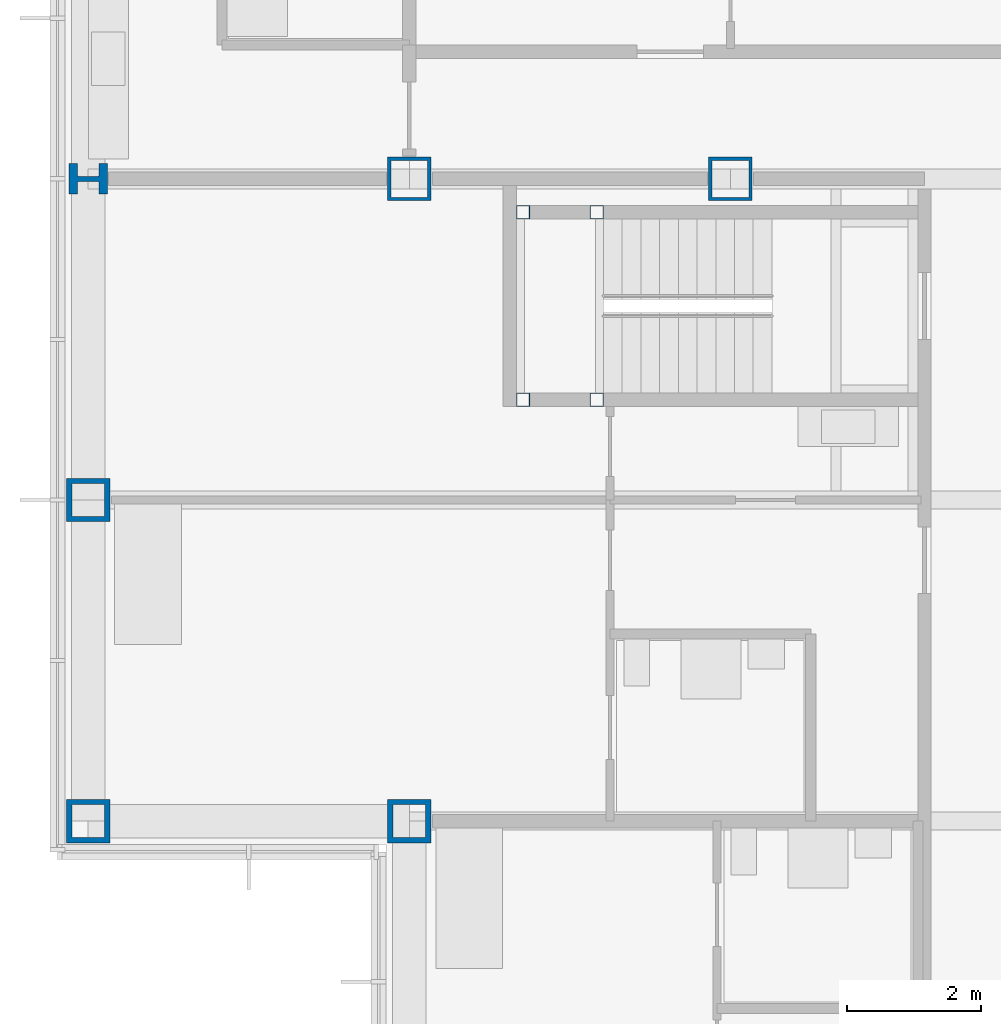
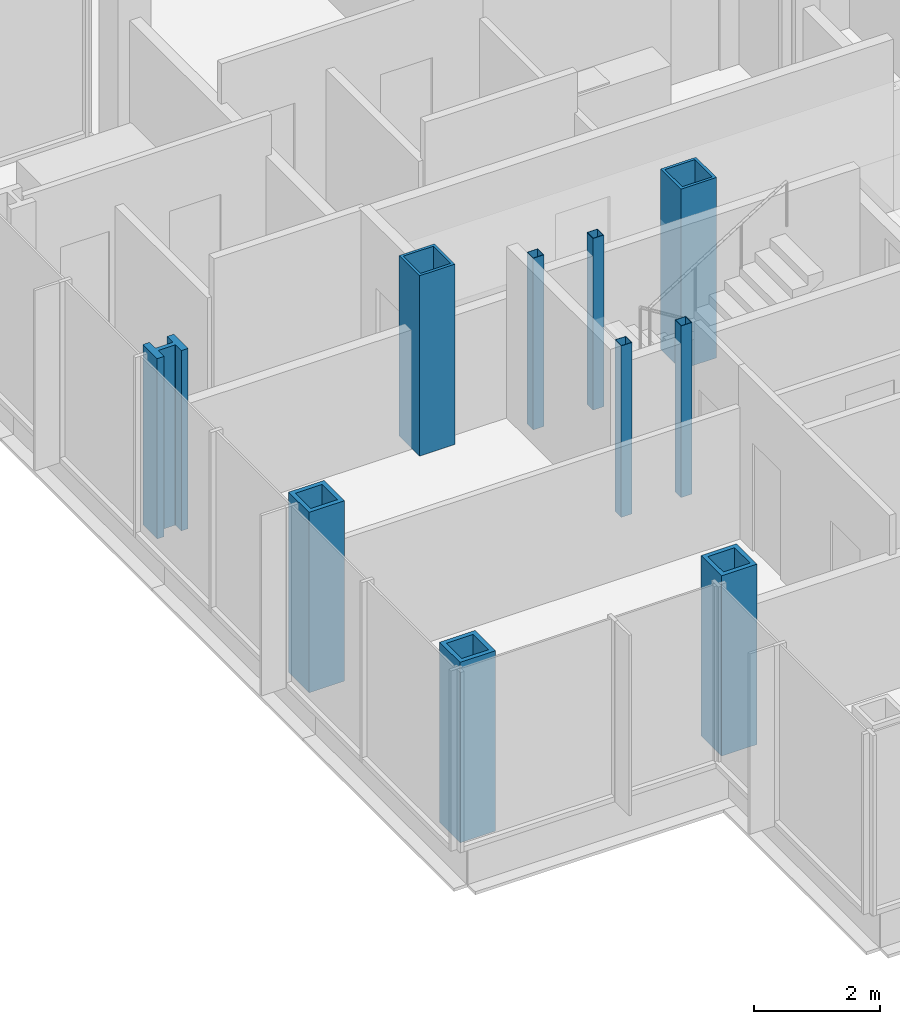
# One storey, part 3 of 19: 10 columns.
"""IFC4 building model written with IfcOpenShell, lengths in metres."""

from ifc_helpers import new_model, si_unit, direction, frame, origin, origin_2d, place, context, subcontext, project, spatial, hollow_rectangle, i_section, extrude, material, material_profile, profile_set, type_object, element, save


model = new_model("IFC4")

# Units and contexts
model_context = context("Model", 3, precision=1e-05, world=origin(), true_north=direction((0.0, 1.0)))
body_context = subcontext(model_context, "Body", "Model", "MODEL_VIEW")
ifc_project = project(units=[si_unit("LENGTHUNIT", "METRE"), si_unit("AREAUNIT", "SQUARE_METRE"), si_unit("VOLUMEUNIT", "CUBIC_METRE"), si_unit("PLANEANGLEUNIT", "RADIAN"), si_unit("MASSUNIT", "GRAM", prefix="KILO")], contexts=[model_context])

# Site, building, storey
site_placement = place(None, origin())
site = spatial("IfcSite", under=ifc_project, at=site_placement, CompositionType="ELEMENT")
building_placement = place(site_placement, origin())
building = spatial("IfcBuilding", under=site, at=building_placement, Name="Kvirike Care Tower", CompositionType="ELEMENT")
storey_placement = place(building_placement, frame((0.0, 0.0, 98.0)))
storey = spatial("IfcBuildingStorey", under=building, at=storey_placement, Name="L26", CompositionType="ELEMENT", Elevation=98.0)

# Columns
ifc_material_1 = material(Name="Steel S460", Category="steel")
ifc_material_profile_1 = material_profile(ifc_material_1, hollow_rectangle(XDim=0.64990234375, YDim=0.64990234375, WallThickness=0.050048828125, at=origin_2d()), Name="BX 650x650x50")
ifc_profile_set_1 = profile_set([ifc_material_profile_1], Name="Steel S460")
column_type_1 = type_object("IfcColumnType", Name="COLUMN BX 650x650x50", PredefinedType="COLUMN", material=ifc_profile_set_1)
for number, where, z_axis, x_axis, name in (
    (1, (4.800048828125, 43.199951171875, 0.0), (0.0, 0.0, 1.0), (0.0, 1.0, 0.0), "Column K4 L26"),
    (2, (9.60009765625, 43.199951171875, 0.0), (0.0, 0.0, 1.0), (0.0, 1.0, 0.0), "Column K5 L26"),
):
    element("IfcColumn", number, at=place(storey_placement, frame(where, z_axis=z_axis, x_axis=x_axis)), inside=storey, type_object=column_type_1, Name=name, PredefinedType="COLUMN", context=body_context, shape_type="SweptSolid", body=[
        extrude(hollow_rectangle(XDim=0.64990234375, YDim=0.64990234375, WallThickness=0.050048828125, at=origin_2d()), origin(), (0.0, 0.0, 1.0), 3.5),
    ])
ifc_material_2 = material(Name="Steel S460", Category="steel")
ifc_material_profile_2 = material_profile(ifc_material_2, hollow_rectangle(XDim=0.64990234375, YDim=0.64990234375, WallThickness=0.080078125, at=origin_2d()), Name="BX 650x650x80")
ifc_profile_set_2 = profile_set([ifc_material_profile_2], Name="Steel S460")
column_type_2 = type_object("IfcColumnType", Name="COLUMN BX 650x650x80", PredefinedType="COLUMN", material=ifc_profile_set_2)
for number, where, z_axis, x_axis, name in (
    (3, (0.0, 33.60009765625, 0.0), (0.0, 0.0, 1.0), (0.0, 1.0, 0.0), "Column H3 L26"),
    (4, (0.0, 38.39990234375, 0.0), (0.0, 0.0, 1.0), (1.0, 0.0, 0.0), "Column J3 L26"),
    (5, (4.800048828125, 33.60009765625, 0.0), (0.0, 0.0, 1.0), (0.0, 1.0, 0.0), "Column H4 L26"),
):
    element("IfcColumn", number, at=place(storey_placement, frame(where, z_axis=z_axis, x_axis=x_axis)), inside=storey, type_object=column_type_2, Name=name, PredefinedType="COLUMN", context=body_context, shape_type="SweptSolid", body=[
        extrude(hollow_rectangle(XDim=0.64990234375, YDim=0.64990234375, WallThickness=0.080078125, at=origin_2d()), origin(), (0.0, 0.0, 1.0), 3.5),
    ])
ifc_material_3 = material(Name="Steel S460", Category="steel")
ifc_material_profile_3 = material_profile(ifc_material_3, i_section(OverallWidth=0.4541015625, OverallDepth=0.569091796875, WebThickness=0.077880859375, FlangeThickness=0.125, FilletRadius=0.014892578125, at=origin_2d()), Name="HD 400x1086")
ifc_profile_set_3 = profile_set([ifc_material_profile_3], Name="Steel S460")
column_type_3 = type_object("IfcColumnType", Name="COLUMN HD 400x1086", PredefinedType="COLUMN", material=ifc_profile_set_3)
column_placement = place(storey_placement, frame((0.0, 43.199951171875, 0.0), z_axis=(0.0, 0.0, 1.0), x_axis=(0.0, 1.0, 0.0)))
element("IfcColumn", 6, at=column_placement, inside=storey, type_object=column_type_3, Name="Column K3 L26", PredefinedType="COLUMN", context=body_context, shape_type="SweptSolid", body=[
    extrude(i_section(OverallWidth=0.4541015625, OverallDepth=0.569091796875, WebThickness=0.077880859375, FlangeThickness=0.125, FilletRadius=0.014892578125, at=origin_2d()), origin(), (0.0, 0.0, 1.0), 3.5),
])
ifc_material_4 = material(Name="Steel S460", Category="steel")
ifc_material_profile_4 = material_profile(ifc_material_4, hollow_rectangle(XDim=0.199951171875, YDim=0.199951171875, WallThickness=0.008056640625, at=origin_2d()), Name="SHS 200x200x8")
ifc_profile_set_4 = profile_set([ifc_material_profile_4], Name="Steel S460")
column_type_4 = type_object("IfcColumnType", Name="STAIR POST SHS 200x200x8", PredefinedType="COLUMN", material=ifc_profile_set_4)
for number, where, z_axis, x_axis, name in (
    (7, (6.5, 42.699951171875, 0.0), (0.0, 0.0, 1.0), (1.0, 0.0, 0.0), "Stair 1 post 1 L26"),
    (8, (6.5, 39.89990234375, 0.0), (0.0, 0.0, 1.0), (1.0, 0.0, 0.0), "Stair 1 post 2 L26"),
    (9, (7.60009765625, 42.699951171875, 0.0), (0.0, 0.0, 1.0), (1.0, 0.0, 0.0), "Stair 1 post 3 L26"),
    (10, (7.60009765625, 39.89990234375, 0.0), (0.0, 0.0, 1.0), (1.0, 0.0, 0.0), "Stair 1 post 4 L26"),
):
    element("IfcColumn", number, at=place(storey_placement, frame(where, z_axis=z_axis, x_axis=x_axis)), inside=storey, type_object=column_type_4, Name=name, PredefinedType="COLUMN", context=body_context, shape_type="SweptSolid", body=[
        extrude(hollow_rectangle(XDim=0.199951171875, YDim=0.199951171875, WallThickness=0.008056640625, at=origin_2d()), origin(), (0.0, 0.0, 1.0), 3.330078125),
    ])

save(model, "model.ifc")
